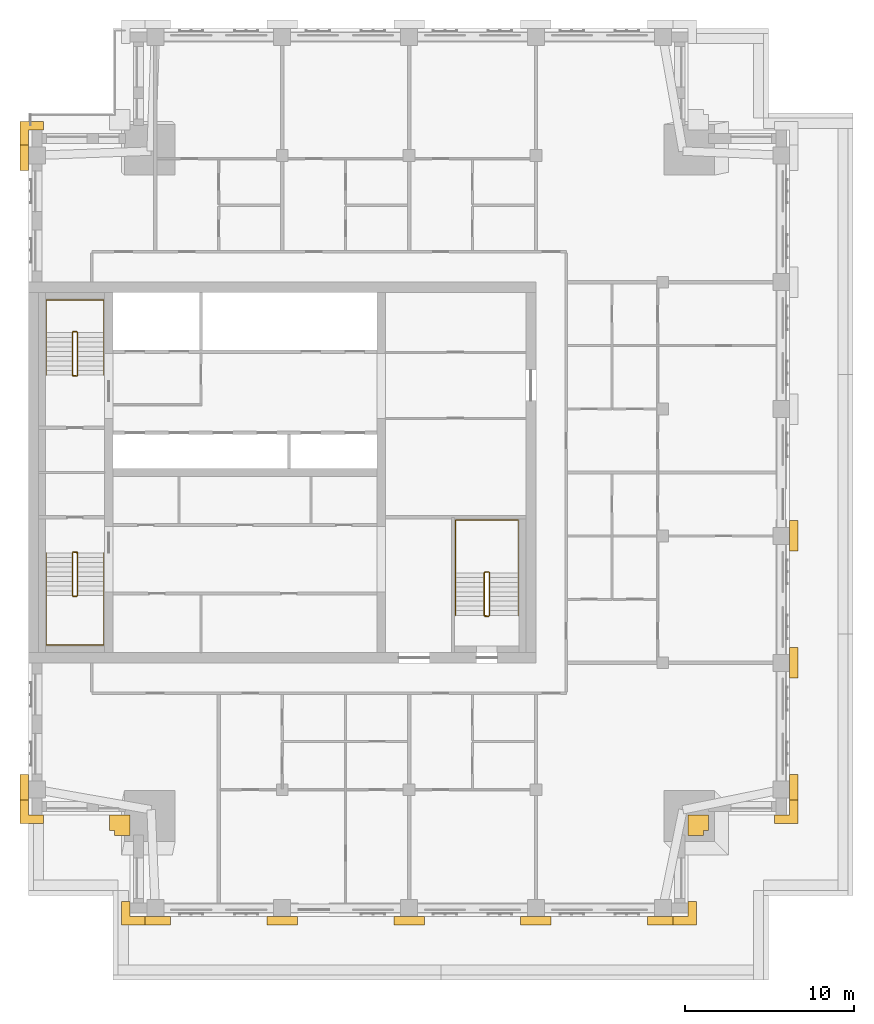
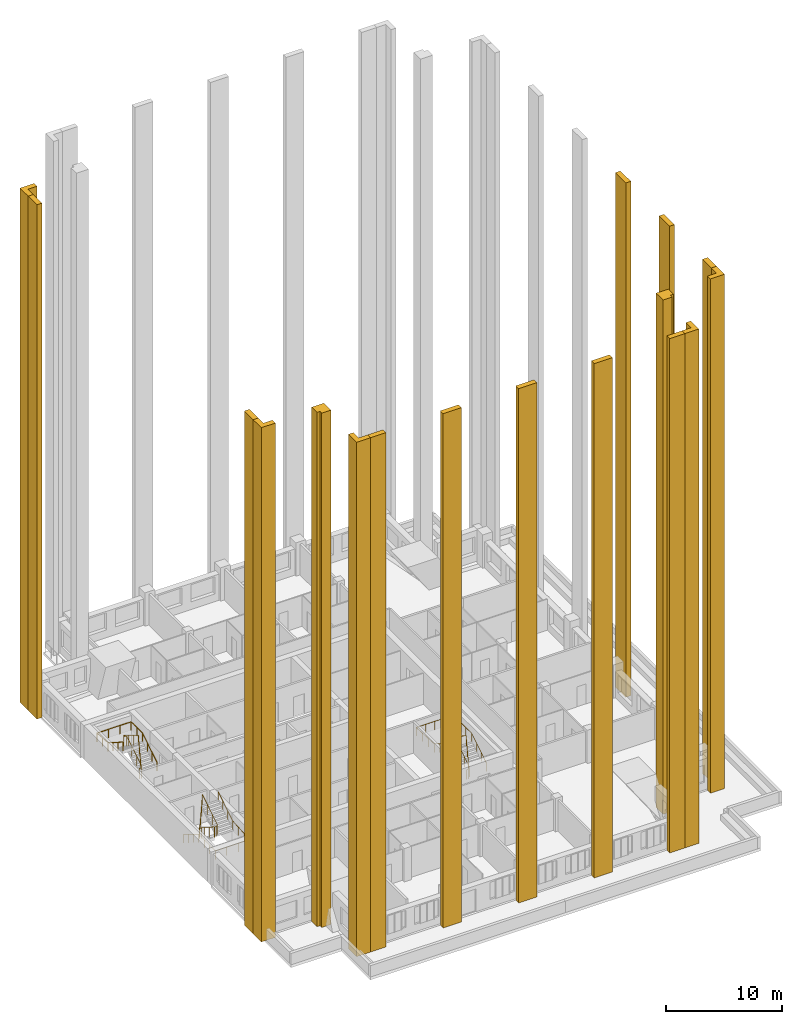
# One storey, part 10 of 12: 17 coverings, 6 railings.
"""IFC4 building model written with IfcOpenShell, lengths in metres."""

from ifc_helpers import new_model, si_unit, direction, frame, origin, origin_2d, place, context, subcontext, project, spatial, polyline, circle, outline, extrude, material, layer, layer_set, type_object, element, save


model = new_model("IFC4")

# Units and contexts
model_context = context("Model", 3, precision=1e-05, world=origin(), true_north=direction((0.0, 1.0)))
body_context = subcontext(model_context, "Body", "Model", "MODEL_VIEW")
ifc_project = project(units=[si_unit("LENGTHUNIT", "METRE"), si_unit("AREAUNIT", "SQUARE_METRE"), si_unit("VOLUMEUNIT", "CUBIC_METRE"), si_unit("PLANEANGLEUNIT", "RADIAN"), si_unit("MASSUNIT", "GRAM", prefix="KILO")], contexts=[model_context])

# Site, building, storey
site_placement = place(None, origin())
site = spatial("IfcSite", under=ifc_project, at=site_placement, CompositionType="ELEMENT")
building_placement = place(site_placement, origin())
building = spatial("IfcBuilding", under=site, at=building_placement, Name="Tamorin Gate", CompositionType="ELEMENT")
storey_placement = place(building_placement, frame((0.0, 0.0, 266.199951171875)))
storey = spatial("IfcBuildingStorey", under=building, at=storey_placement, Name="L66", CompositionType="ELEMENT", Elevation=266.199951171875)

# Coverings
ifc_material_1 = material(Name="Precast concrete C40/50", Category="concrete")
ifc_layer_1 = layer(ifc_material_1, 0.5)
ifc_layer_set_1 = layer_set([ifc_layer_1], Name="Corner pier cladding 500")
covering_type_1 = type_object("IfcCoveringType", Name="Corner pier cladding 500", PredefinedType="CLADDING", material=ifc_layer_set_1)
covering_1_placement = place(storey_placement, origin())
element("IfcCovering", 1, at=covering_1_placement, inside=storey, type_object=covering_type_1, Name="Corner pier", PredefinedType="CLADDING", context=body_context, shape_type="SweptSolid", body=[
    extrude(outline(polyline([(35.5, 44.5), (35.5, 45.89990234375), (36.0, 45.89990234375), (36.0, 45.0), (36.89990234375, 45.0), (36.89990234375, 44.5), (35.5, 44.5)])), origin(), (0.0, 0.0, 1.0), 54.0),
])
covering_2_placement = place(storey_placement, origin())
element("IfcCovering", 2, at=covering_2_placement, inside=storey, type_object=covering_type_1, Name="Corner pier", PredefinedType="CLADDING", context=body_context, shape_type="SweptSolid", body=[
    extrude(outline(polyline([(69.5, 44.5), (68.10009765625, 44.5), (68.10009765625, 45.0), (69.0, 45.0), (69.0, 45.89990234375), (69.5, 45.89990234375), (69.5, 44.5)])), origin(), (0.0, 0.0, 1.0), 54.0),
])
covering_3_placement = place(storey_placement, origin())
element("IfcCovering", 3, at=covering_3_placement, inside=storey, type_object=covering_type_1, Name="Corner pier", PredefinedType="CLADDING", context=body_context, shape_type="SweptSolid", body=[
    extrude(outline(polyline([(75.5, 50.5), (74.10009765625, 50.5), (74.10009765625, 51.0), (75.0, 51.0), (75.0, 51.89990234375), (75.5, 51.89990234375), (75.5, 50.5)])), origin(), (0.0, 0.0, 1.0), 54.0),
])
covering_4_placement = place(storey_placement, origin())
element("IfcCovering", 4, at=covering_4_placement, inside=storey, type_object=covering_type_1, Name="Corner pier", PredefinedType="CLADDING", context=body_context, shape_type="SweptSolid", body=[
    extrude(outline(polyline([(29.5, 92.0), (30.89990234375, 92.0), (30.89990234375, 91.5), (30.0, 91.5), (30.0, 90.60009765625), (29.5, 90.60009765625), (29.5, 92.0)])), origin(), (0.0, 0.0, 1.0), 54.0),
])
covering_5_placement = place(storey_placement, origin())
element("IfcCovering", 5, at=covering_5_placement, inside=storey, type_object=covering_type_1, Name="Corner pier", PredefinedType="CLADDING", context=body_context, shape_type="SweptSolid", body=[
    extrude(outline(polyline([(29.5, 50.5), (29.5, 51.89990234375), (30.0, 51.89990234375), (30.0, 51.0), (30.89990234375, 51.0), (30.89990234375, 50.5), (29.5, 50.5)])), origin(), (0.0, 0.0, 1.0), 54.0),
])
ifc_layer_2 = layer(ifc_material_1, 0.89990234375)
ifc_layer_set_2 = layer_set([ifc_layer_2], Name="Corner pier cladding 900")
covering_type_2 = type_object("IfcCoveringType", Name="Corner pier cladding 900", PredefinedType="CLADDING", material=ifc_layer_set_2)
covering_6_placement = place(storey_placement, origin())
element("IfcCovering", 6, at=covering_6_placement, inside=storey, type_object=covering_type_2, Name="Corner pier", PredefinedType="CLADDING", context=body_context, shape_type="SweptSolid", body=[
    extrude(outline(polyline([(69.89990234375, 50.10009765625), (69.89990234375, 49.800048828125), (69.0, 49.800048828125), (69.0, 51.0), (70.199951171875, 51.0), (70.199951171875, 50.10009765625), (69.89990234375, 50.10009765625)])), origin(), (0.0, 0.0, 1.0), 54.0),
])
covering_7_placement = place(storey_placement, origin())
element("IfcCovering", 7, at=covering_7_placement, inside=storey, type_object=covering_type_2, Name="Corner pier", PredefinedType="CLADDING", context=body_context, shape_type="SweptSolid", body=[
    extrude(outline(polyline([(34.800048828125, 50.10009765625), (34.800048828125, 51.0), (36.0, 51.0), (36.0, 49.800048828125), (35.10009765625, 49.800048828125), (35.10009765625, 50.10009765625), (34.800048828125, 50.10009765625)])), origin(), (0.0, 0.0, 1.0), 54.0),
])
ifc_layer_3 = layer(ifc_material_1, 0.5)
ifc_layer_set_3 = layer_set([ifc_layer_3], Name="Precast concrete C40/50")
covering_type_3 = type_object("IfcCoveringType", Name="Precast pier 1800x500", PredefinedType="CLADDING", material=ifc_layer_set_3)
covering_8_placement = place(storey_placement, origin())
element("IfcCovering", 8, at=covering_8_placement, inside=storey, type_object=covering_type_3, Name="Precast pier", PredefinedType="CLADDING", context=body_context, shape_type="SweptSolid", body=[
    extrude(outline(polyline([(30.0, 51.89990234375), (29.5, 51.89990234375), (29.5, 53.39990234375), (30.0, 53.39990234375), (30.0, 51.89990234375)])), origin(), (0.0, 0.0, 1.0), 54.0),
])
covering_9_placement = place(storey_placement, origin())
element("IfcCovering", 9, at=covering_9_placement, inside=storey, type_object=covering_type_3, Name="Precast pier", PredefinedType="CLADDING", context=body_context, shape_type="SweptSolid", body=[
    extrude(outline(polyline([(30.0, 89.10009765625), (29.5, 89.10009765625), (29.5, 90.60009765625), (30.0, 90.60009765625), (30.0, 89.10009765625)])), origin(), (0.0, 0.0, 1.0), 54.0),
])
covering_10_placement = place(storey_placement, origin())
element("IfcCovering", 10, at=covering_10_placement, inside=storey, type_object=covering_type_3, Name="Precast pier", PredefinedType="CLADDING", context=body_context, shape_type="SweptSolid", body=[
    extrude(outline(polyline([(38.39990234375, 45.0), (38.39990234375, 44.5), (36.89990234375, 44.5), (36.89990234375, 45.0), (38.39990234375, 45.0)])), origin(), (0.0, 0.0, 1.0), 54.0),
])
covering_11_placement = place(storey_placement, origin())
element("IfcCovering", 11, at=covering_11_placement, inside=storey, type_object=covering_type_3, Name="Precast pier", PredefinedType="CLADDING", context=body_context, shape_type="SweptSolid", body=[
    extrude(outline(polyline([(44.10009765625, 45.0), (45.89990234375, 45.0), (45.89990234375, 44.5), (44.10009765625, 44.5), (44.10009765625, 45.0)])), origin(), (0.0, 0.0, 1.0), 54.0),
])
covering_12_placement = place(storey_placement, origin())
element("IfcCovering", 12, at=covering_12_placement, inside=storey, type_object=covering_type_3, Name="Precast pier", PredefinedType="CLADDING", context=body_context, shape_type="SweptSolid", body=[
    extrude(outline(polyline([(51.60009765625, 45.0), (53.39990234375, 45.0), (53.39990234375, 44.5), (51.60009765625, 44.5), (51.60009765625, 45.0)])), origin(), (0.0, 0.0, 1.0), 54.0),
])
covering_13_placement = place(storey_placement, origin())
element("IfcCovering", 13, at=covering_13_placement, inside=storey, type_object=covering_type_3, Name="Precast pier", PredefinedType="CLADDING", context=body_context, shape_type="SweptSolid", body=[
    extrude(outline(polyline([(59.10009765625, 45.0), (60.89990234375, 45.0), (60.89990234375, 44.5), (59.10009765625, 44.5), (59.10009765625, 45.0)])), origin(), (0.0, 0.0, 1.0), 54.0),
])
covering_14_placement = place(storey_placement, origin())
element("IfcCovering", 14, at=covering_14_placement, inside=storey, type_object=covering_type_3, Name="Precast pier", PredefinedType="CLADDING", context=body_context, shape_type="SweptSolid", body=[
    extrude(outline(polyline([(68.10009765625, 45.0), (68.10009765625, 44.5), (66.60009765625, 44.5), (66.60009765625, 45.0), (68.10009765625, 45.0)])), origin(), (0.0, 0.0, 1.0), 54.0),
])
covering_15_placement = place(storey_placement, origin())
element("IfcCovering", 15, at=covering_15_placement, inside=storey, type_object=covering_type_3, Name="Precast pier", PredefinedType="CLADDING", context=body_context, shape_type="SweptSolid", body=[
    extrude(outline(polyline([(75.0, 53.39990234375), (75.5, 53.39990234375), (75.5, 51.89990234375), (75.0, 51.89990234375), (75.0, 53.39990234375)])), origin(), (0.0, 0.0, 1.0), 54.0),
])
covering_16_placement = place(storey_placement, origin())
element("IfcCovering", 16, at=covering_16_placement, inside=storey, type_object=covering_type_3, Name="Precast pier", PredefinedType="CLADDING", context=body_context, shape_type="SweptSolid", body=[
    extrude(outline(polyline([(75.0, 59.10009765625), (75.0, 60.89990234375), (75.5, 60.89990234375), (75.5, 59.10009765625), (75.0, 59.10009765625)])), origin(), (0.0, 0.0, 1.0), 54.0),
])
covering_17_placement = place(storey_placement, origin())
element("IfcCovering", 17, at=covering_17_placement, inside=storey, type_object=covering_type_3, Name="Precast pier", PredefinedType="CLADDING", context=body_context, shape_type="SweptSolid", body=[
    extrude(outline(polyline([(75.0, 66.60009765625), (75.0, 68.39990234375), (75.5, 68.39990234375), (75.5, 66.60009765625), (75.0, 66.60009765625)])), origin(), (0.0, 0.0, 1.0), 54.0),
])

# Railings
ifc_material_2 = material(Name="Painted steel balustrade", Category="steel")
railing_type_1 = type_object("IfcRailingType", Name="Stair guard 1100", PredefinedType="GUARDRAIL", material=ifc_material_2)
railing_1_placement = place(storey_placement, frame((32.60009765625, 66.5, 0.175048828125)))
element("IfcRailing", 18, at=railing_1_placement, inside=storey, type_object=railing_type_1, Name="L66 ST1 stair guard 1", PredefinedType="GUARDRAIL", context=body_context, shape_type="SweptSolid", body=[
    extrude(circle(Radius=0.02392578125, at=origin_2d()), frame((0.0, 0.0, 1.076171875), z_axis=(0.0, -0.848007534815, 0.529984170421), x_axis=(1.0, 0.0, 0.0)), (0.0, 0.0, 1.0), 2.9716796875),
    extrude(circle(Radius=0.02392578125, at=origin_2d()), frame((0.0, -2.52001953125, 2.65087890625), z_axis=(0.705375805398, -0.708833529934, 0.0), x_axis=(0.708833529934, 0.705375805398, 0.0)), (0.0, 0.0, 1.0), 0.070556640625),
    extrude(circle(Radius=0.02392578125, at=origin_2d()), frame((0.0498046875, -2.570068359375, 2.65087890625), z_axis=(1.0, 0.0, 0.0), x_axis=(0.0, 1.0, 0.0)), (0.0, 0.0, 1.0), 0.2001953125),
    extrude(circle(Radius=0.02392578125, at=origin_2d()), frame((0.25, -2.570068359375, 2.65087890625), z_axis=(0.263862480399, 0.265155923931, 0.927399011991), x_axis=(-0.708833529934, 0.705375805398, 0.0)), (0.0, 0.0, 1.0), 0.188720703125),
    extrude(circle(Radius=0.02392578125, at=origin_2d()), frame((0.2998046875, -2.52001953125, 2.826171875), z_axis=(0.0, 0.848007534815, 0.529984170421), x_axis=(-1.0, 0.0, 0.0)), (0.0, 0.0, 1.0), 2.9716796875),
    extrude(circle(Radius=0.02392578125, at=origin_2d()), frame((0.2998046875, 0.0, 4.40087890625), z_axis=(-0.071239803756, 0.014261874775, -0.997357252587), x_axis=(-0.196300278283, -0.98054382908, 0.0)), (0.0, 0.0, 1.0), 3.50927734375),
    extrude(circle(Radius=0.02392578125, at=origin_2d()), frame((0.0498046875, 0.050048828125, 0.90087890625), z_axis=(1.0, 0.0, 0.0), x_axis=(0.0, 1.0, 0.0)), (0.0, 0.0, 1.0), 0.2001953125),
    extrude(circle(Radius=0.02099609375, at=origin_2d()), origin(), (0.0, 0.0, 1.0), 1.052001953125),
    extrude(circle(Radius=0.02099609375, at=origin_2d()), frame((0.0, -0.840087890625, 0.52490234375)), (0.0, 0.0, 1.0), 1.052001953125),
    extrude(circle(Radius=0.02099609375, at=origin_2d()), frame((0.0, -1.679931640625, 1.050048828125)), (0.0, 0.0, 1.0), 1.052001953125),
    extrude(circle(Radius=0.02099609375, at=origin_2d()), frame((0.0, -2.52001953125, 1.574951171875)), (0.0, 0.0, 1.0), 1.052001953125),
    extrude(circle(Radius=0.02099609375, at=origin_2d()), frame((0.0498046875, -2.570068359375, 1.574951171875)), (0.0, 0.0, 1.0), 1.052001953125),
    extrude(circle(Radius=0.02099609375, at=origin_2d()), frame((0.25, -2.570068359375, 1.574951171875)), (0.0, 0.0, 1.0), 1.052001953125),
    extrude(circle(Radius=0.02099609375, at=origin_2d()), frame((0.2998046875, -2.52001953125, 1.75)), (0.0, 0.0, 1.0), 1.052001953125),
    extrude(circle(Radius=0.02099609375, at=origin_2d()), frame((0.2998046875, -1.679931640625, 2.27490234375)), (0.0, 0.0, 1.0), 1.052001953125),
    extrude(circle(Radius=0.02099609375, at=origin_2d()), frame((0.2998046875, -0.840087890625, 2.800048828125)), (0.0, 0.0, 1.0), 1.052001953125),
    extrude(circle(Radius=0.02099609375, at=origin_2d()), frame((0.2998046875, 0.0, 3.324951171875)), (0.0, 0.0, 1.0), 1.052001953125),
    extrude(circle(Radius=0.02099609375, at=origin_2d()), frame((0.216552734375, 0.0166015625, 2.158203125)), (0.0, 0.0, 1.0), 1.052001953125),
    extrude(circle(Radius=0.02099609375, at=origin_2d()), frame((0.133056640625, 0.033447265625, 0.99169921875)), (0.0, 0.0, 1.0), 1.052001953125),
    extrude(circle(Radius=0.02099609375, at=origin_2d()), frame((0.0498046875, 0.050048828125, -0.175048828125)), (0.0, 0.0, 1.0), 1.052001953125),
    extrude(circle(Radius=0.02099609375, at=origin_2d()), frame((0.25, 0.050048828125, -0.175048828125)), (0.0, 0.0, 1.0), 1.052001953125),
])
railing_2_placement = place(storey_placement, frame((32.89990234375, 77.0, 0.175048828125)))
element("IfcRailing", 19, at=railing_2_placement, inside=storey, type_object=railing_type_1, Name="L66 ST2 stair guard 1", PredefinedType="GUARDRAIL", context=body_context, shape_type="SweptSolid", body=[
    extrude(circle(Radius=0.02392578125, at=origin_2d()), frame((0.0, 0.0, 1.076171875), z_axis=(0.0, 0.848007534815, 0.529984170421), x_axis=(-1.0, 0.0, 0.0)), (0.0, 0.0, 1.0), 2.9716796875),
    extrude(circle(Radius=0.02392578125, at=origin_2d()), frame((0.0, 2.52001953125, 2.65087890625), z_axis=(-0.705375805398, 0.708833529934, 0.0), x_axis=(-0.708833529934, -0.705375805398, 0.0)), (0.0, 0.0, 1.0), 0.070556640625),
    extrude(circle(Radius=0.02392578125, at=origin_2d()), frame((-0.0498046875, 2.570068359375, 2.65087890625), z_axis=(-1.0, 0.0, 0.0), x_axis=(0.0, -1.0, 0.0)), (0.0, 0.0, 1.0), 0.2001953125),
    extrude(circle(Radius=0.02392578125, at=origin_2d()), frame((-0.25, 2.570068359375, 2.65087890625), z_axis=(-0.263862480399, -0.265155923931, 0.927399011991), x_axis=(0.708833529934, -0.705375805398, 0.0)), (0.0, 0.0, 1.0), 0.188720703125),
    extrude(circle(Radius=0.02392578125, at=origin_2d()), frame((-0.2998046875, 2.52001953125, 2.826171875), z_axis=(0.0, -0.848007534815, 0.529984170421), x_axis=(1.0, 0.0, 0.0)), (0.0, 0.0, 1.0), 2.9716796875),
    extrude(circle(Radius=0.02392578125, at=origin_2d()), frame((-0.2998046875, 0.0, 4.40087890625), z_axis=(0.071239803756, -0.014261874775, -0.997357252587), x_axis=(0.196300278283, 0.98054382908, 0.0)), (0.0, 0.0, 1.0), 3.50927734375),
    extrude(circle(Radius=0.02392578125, at=origin_2d()), frame((-0.0498046875, -0.050048828125, 0.90087890625), z_axis=(-1.0, 0.0, 0.0), x_axis=(0.0, -1.0, 0.0)), (0.0, 0.0, 1.0), 0.2001953125),
    extrude(circle(Radius=0.02099609375, at=origin_2d()), origin(), (0.0, 0.0, 1.0), 1.052001953125),
    extrude(circle(Radius=0.02099609375, at=origin_2d()), frame((0.0, 0.840087890625, 0.52490234375)), (0.0, 0.0, 1.0), 1.052001953125),
    extrude(circle(Radius=0.02099609375, at=origin_2d()), frame((0.0, 1.679931640625, 1.050048828125)), (0.0, 0.0, 1.0), 1.052001953125),
    extrude(circle(Radius=0.02099609375, at=origin_2d()), frame((0.0, 2.52001953125, 1.574951171875)), (0.0, 0.0, 1.0), 1.052001953125),
    extrude(circle(Radius=0.02099609375, at=origin_2d()), frame((-0.0498046875, 2.570068359375, 1.574951171875)), (0.0, 0.0, 1.0), 1.052001953125),
    extrude(circle(Radius=0.02099609375, at=origin_2d()), frame((-0.25, 2.570068359375, 1.574951171875)), (0.0, 0.0, 1.0), 1.052001953125),
    extrude(circle(Radius=0.02099609375, at=origin_2d()), frame((-0.2998046875, 2.52001953125, 1.75)), (0.0, 0.0, 1.0), 1.052001953125),
    extrude(circle(Radius=0.02099609375, at=origin_2d()), frame((-0.2998046875, 1.679931640625, 2.27490234375)), (0.0, 0.0, 1.0), 1.052001953125),
    extrude(circle(Radius=0.02099609375, at=origin_2d()), frame((-0.2998046875, 0.840087890625, 2.800048828125)), (0.0, 0.0, 1.0), 1.052001953125),
    extrude(circle(Radius=0.02099609375, at=origin_2d()), frame((-0.2998046875, 0.0, 3.324951171875)), (0.0, 0.0, 1.0), 1.052001953125),
    extrude(circle(Radius=0.02099609375, at=origin_2d()), frame((-0.216552734375, -0.0166015625, 2.158203125)), (0.0, 0.0, 1.0), 1.052001953125),
    extrude(circle(Radius=0.02099609375, at=origin_2d()), frame((-0.133056640625, -0.033447265625, 0.99169921875)), (0.0, 0.0, 1.0), 1.052001953125),
    extrude(circle(Radius=0.02099609375, at=origin_2d()), frame((-0.0498046875, -0.050048828125, -0.175048828125)), (0.0, 0.0, 1.0), 1.052001953125),
    extrude(circle(Radius=0.02099609375, at=origin_2d()), frame((-0.25, -0.050048828125, -0.175048828125)), (0.0, 0.0, 1.0), 1.052001953125),
])
railing_3_placement = place(storey_placement, frame((57.25, 62.800048828125, 0.175048828125)))
element("IfcRailing", 20, at=railing_3_placement, inside=storey, type_object=railing_type_1, Name="L66 ST3 stair guard 1", PredefinedType="GUARDRAIL", context=body_context, shape_type="SweptSolid", body=[
    extrude(circle(Radius=0.02392578125, at=origin_2d()), frame((0.0, 0.0, 1.076171875), z_axis=(0.0, 0.848007534815, 0.529984170421), x_axis=(-1.0, 0.0, 0.0)), (0.0, 0.0, 1.0), 2.9716796875),
    extrude(circle(Radius=0.02392578125, at=origin_2d()), frame((0.0, 2.52001953125, 2.65087890625), z_axis=(-0.707106781187, 0.707106781187, 0.0), x_axis=(-0.707106781187, -0.707106781187, 0.0)), (0.0, 0.0, 1.0), 0.07080078125),
    extrude(circle(Radius=0.02392578125, at=origin_2d()), frame((-0.050048828125, 2.570068359375, 2.65087890625), z_axis=(-1.0, 0.0, 0.0), x_axis=(0.0, -1.0, 0.0)), (0.0, 0.0, 1.0), 0.199951171875),
    extrude(circle(Radius=0.02392578125, at=origin_2d()), frame((-0.25, 2.570068359375, 2.65087890625), z_axis=(-0.265065253269, -0.265065253269, 0.927081885822), x_axis=(0.707106781187, -0.707106781187, 0.0)), (0.0, 0.0, 1.0), 0.188720703125),
    extrude(circle(Radius=0.02392578125, at=origin_2d()), frame((-0.300048828125, 2.52001953125, 2.826171875), z_axis=(0.0, -0.848007534815, 0.529984170421), x_axis=(1.0, 0.0, 0.0)), (0.0, 0.0, 1.0), 2.9716796875),
    extrude(circle(Radius=0.02392578125, at=origin_2d()), frame((-0.300048828125, 0.0, 4.40087890625), z_axis=(0.071239803756, -0.014261874775, -0.997357252587), x_axis=(0.196300278283, 0.98054382908, 0.0)), (0.0, 0.0, 1.0), 3.50927734375),
    extrude(circle(Radius=0.02392578125, at=origin_2d()), frame((-0.050048828125, -0.050048828125, 0.90087890625), z_axis=(-1.0, 0.0, 0.0), x_axis=(0.0, -1.0, 0.0)), (0.0, 0.0, 1.0), 0.199951171875),
    extrude(circle(Radius=0.02099609375, at=origin_2d()), origin(), (0.0, 0.0, 1.0), 1.052001953125),
    extrude(circle(Radius=0.02099609375, at=origin_2d()), frame((0.0, 0.840087890625, 0.52490234375)), (0.0, 0.0, 1.0), 1.052001953125),
    extrude(circle(Radius=0.02099609375, at=origin_2d()), frame((0.0, 1.679931640625, 1.050048828125)), (0.0, 0.0, 1.0), 1.052001953125),
    extrude(circle(Radius=0.02099609375, at=origin_2d()), frame((0.0, 2.52001953125, 1.574951171875)), (0.0, 0.0, 1.0), 1.052001953125),
    extrude(circle(Radius=0.02099609375, at=origin_2d()), frame((-0.050048828125, 2.570068359375, 1.574951171875)), (0.0, 0.0, 1.0), 1.052001953125),
    extrude(circle(Radius=0.02099609375, at=origin_2d()), frame((-0.25, 2.570068359375, 1.574951171875)), (0.0, 0.0, 1.0), 1.052001953125),
    extrude(circle(Radius=0.02099609375, at=origin_2d()), frame((-0.300048828125, 2.52001953125, 1.75)), (0.0, 0.0, 1.0), 1.052001953125),
    extrude(circle(Radius=0.02099609375, at=origin_2d()), frame((-0.300048828125, 1.679931640625, 2.27490234375)), (0.0, 0.0, 1.0), 1.052001953125),
    extrude(circle(Radius=0.02099609375, at=origin_2d()), frame((-0.300048828125, 0.840087890625, 2.800048828125)), (0.0, 0.0, 1.0), 1.052001953125),
    extrude(circle(Radius=0.02099609375, at=origin_2d()), frame((-0.300048828125, 0.0, 3.324951171875)), (0.0, 0.0, 1.0), 1.052001953125),
    extrude(circle(Radius=0.02099609375, at=origin_2d()), frame((-0.216796875, -0.0166015625, 2.158203125)), (0.0, 0.0, 1.0), 1.052001953125),
    extrude(circle(Radius=0.02099609375, at=origin_2d()), frame((-0.13330078125, -0.033447265625, 0.99169921875)), (0.0, 0.0, 1.0), 1.052001953125),
    extrude(circle(Radius=0.02099609375, at=origin_2d()), frame((-0.050048828125, -0.050048828125, -0.175048828125)), (0.0, 0.0, 1.0), 1.052001953125),
    extrude(circle(Radius=0.02099609375, at=origin_2d()), frame((-0.25, -0.050048828125, -0.175048828125)), (0.0, 0.0, 1.0), 1.052001953125),
])
ifc_material_3 = material(Name="Painted steel handrail", Category="steel")
railing_type_2 = type_object("IfcRailingType", Name="Stair handrail 900", PredefinedType="HANDRAIL", material=ifc_material_3)
railing_4_placement = place(storey_placement, frame((31.050048828125, 66.5, 0.175048828125)))
element("IfcRailing", 21, at=railing_4_placement, inside=storey, type_object=railing_type_2, Name="L66 ST1 stair handrail 1", PredefinedType="HANDRAIL", context=body_context, shape_type="SweptSolid", body=[
    extrude(circle(Radius=0.02392578125, at=origin_2d()), frame((0.0, 0.0, 0.8759765625), z_axis=(0.0, -0.848007534815, 0.529984170421), x_axis=(1.0, 0.0, 0.0)), (0.0, 0.0, 1.0), 2.9716796875),
    extrude(circle(Radius=0.02392578125, at=origin_2d()), frame((0.0, -2.52001953125, 2.45068359375), z_axis=(0.0, -1.0, 0.0), x_axis=(1.0, 0.0, 0.0)), (0.0, 0.0, 1.0), 2.929931640625),
    extrude(circle(Radius=0.02392578125, at=origin_2d()), frame((0.0, -5.449951171875, 2.45068359375), z_axis=(1.0, 0.0, 0.0), x_axis=(0.0, 1.0, 0.0)), (0.0, 0.0, 1.0), 3.39990234375),
    extrude(circle(Radius=0.02392578125, at=origin_2d()), frame((3.39990234375, -5.449951171875, 2.45068359375), z_axis=(0.0, 0.998220029962, 0.0596386769), x_axis=(-1.0, 0.0, 0.0)), (0.0, 0.0, 1.0), 2.93505859375),
    extrude(circle(Radius=0.02392578125, at=origin_2d()), frame((3.39990234375, -2.52001953125, 2.6259765625), z_axis=(0.0, 0.848007534815, 0.529984170421), x_axis=(-1.0, 0.0, 0.0)), (0.0, 0.0, 1.0), 2.9716796875),
    extrude(circle(Radius=0.02099609375, at=origin_2d()), origin(), (0.0, 0.0, 1.0), 0.851806640625),
    extrude(circle(Radius=0.02099609375, at=origin_2d()), frame((0.0, -0.840087890625, 0.52490234375)), (0.0, 0.0, 1.0), 0.851806640625),
    extrude(circle(Radius=0.02099609375, at=origin_2d()), frame((0.0, -1.679931640625, 1.050048828125)), (0.0, 0.0, 1.0), 0.851806640625),
    extrude(circle(Radius=0.02099609375, at=origin_2d()), frame((0.0, -2.52001953125, 1.574951171875)), (0.0, 0.0, 1.0), 0.851806640625),
    extrude(circle(Radius=0.02099609375, at=origin_2d()), frame((0.0, -3.49658203125, 1.574951171875)), (0.0, 0.0, 1.0), 0.851806640625),
    extrude(circle(Radius=0.02099609375, at=origin_2d()), frame((0.0, -4.473388671875, 1.574951171875)), (0.0, 0.0, 1.0), 0.851806640625),
    extrude(circle(Radius=0.02099609375, at=origin_2d()), frame((0.0, -5.449951171875, 1.574951171875)), (0.0, 0.0, 1.0), 0.851806640625),
    extrude(circle(Radius=0.02099609375, at=origin_2d()), frame((1.13330078125, -5.449951171875, 1.574951171875)), (0.0, 0.0, 1.0), 0.851806640625),
    extrude(circle(Radius=0.02099609375, at=origin_2d()), frame((2.2666015625, -5.449951171875, 1.574951171875)), (0.0, 0.0, 1.0), 0.851806640625),
    extrude(circle(Radius=0.02099609375, at=origin_2d()), frame((3.39990234375, -5.449951171875, 1.574951171875)), (0.0, 0.0, 1.0), 0.851806640625),
    extrude(circle(Radius=0.02099609375, at=origin_2d()), frame((3.39990234375, -4.473388671875, 1.63330078125)), (0.0, 0.0, 1.0), 0.851806640625),
    extrude(circle(Radius=0.02099609375, at=origin_2d()), frame((3.39990234375, -3.49658203125, 1.691650390625)), (0.0, 0.0, 1.0), 0.851806640625),
    extrude(circle(Radius=0.02099609375, at=origin_2d()), frame((3.39990234375, -2.52001953125, 1.75)), (0.0, 0.0, 1.0), 0.851806640625),
    extrude(circle(Radius=0.02099609375, at=origin_2d()), frame((3.39990234375, -1.679931640625, 2.27490234375)), (0.0, 0.0, 1.0), 0.851806640625),
    extrude(circle(Radius=0.02099609375, at=origin_2d()), frame((3.39990234375, -0.840087890625, 2.800048828125)), (0.0, 0.0, 1.0), 0.851806640625),
    extrude(circle(Radius=0.02099609375, at=origin_2d()), frame((3.39990234375, 0.0, 3.324951171875)), (0.0, 0.0, 1.0), 0.851806640625),
])
railing_5_placement = place(storey_placement, frame((34.449951171875, 77.0, 0.175048828125)))
element("IfcRailing", 22, at=railing_5_placement, inside=storey, type_object=railing_type_2, Name="L66 ST2 stair handrail 1", PredefinedType="HANDRAIL", context=body_context, shape_type="SweptSolid", body=[
    extrude(circle(Radius=0.02392578125, at=origin_2d()), frame((0.0, 0.0, 0.8759765625), z_axis=(0.0, 0.848007534815, 0.529984170421), x_axis=(-1.0, 0.0, 0.0)), (0.0, 0.0, 1.0), 2.9716796875),
    extrude(circle(Radius=0.02392578125, at=origin_2d()), frame((0.0, 2.52001953125, 2.45068359375), z_axis=(0.0, 1.0, 0.0), x_axis=(-1.0, 0.0, 0.0)), (0.0, 0.0, 1.0), 1.929931640625),
    extrude(circle(Radius=0.02392578125, at=origin_2d()), frame((0.0, 4.449951171875, 2.45068359375), z_axis=(-1.0, 0.0, 0.0), x_axis=(0.0, -1.0, 0.0)), (0.0, 0.0, 1.0), 3.39990234375),
    extrude(circle(Radius=0.02392578125, at=origin_2d()), frame((-3.39990234375, 4.449951171875, 2.45068359375), z_axis=(0.0, -0.995911773435, 0.090331276604), x_axis=(1.0, 0.0, 0.0)), (0.0, 0.0, 1.0), 1.937744140625),
    extrude(circle(Radius=0.02392578125, at=origin_2d()), frame((-3.39990234375, 2.52001953125, 2.6259765625), z_axis=(0.0, -0.848007534815, 0.529984170421), x_axis=(1.0, 0.0, 0.0)), (0.0, 0.0, 1.0), 2.9716796875),
    extrude(circle(Radius=0.02099609375, at=origin_2d()), origin(), (0.0, 0.0, 1.0), 0.851806640625),
    extrude(circle(Radius=0.02099609375, at=origin_2d()), frame((0.0, 0.840087890625, 0.52490234375)), (0.0, 0.0, 1.0), 0.851806640625),
    extrude(circle(Radius=0.02099609375, at=origin_2d()), frame((0.0, 1.679931640625, 1.050048828125)), (0.0, 0.0, 1.0), 0.851806640625),
    extrude(circle(Radius=0.02099609375, at=origin_2d()), frame((0.0, 2.52001953125, 1.574951171875)), (0.0, 0.0, 1.0), 0.851806640625),
    extrude(circle(Radius=0.02099609375, at=origin_2d()), frame((0.0, 3.48486328125, 1.574951171875)), (0.0, 0.0, 1.0), 0.851806640625),
    extrude(circle(Radius=0.02099609375, at=origin_2d()), frame((0.0, 4.449951171875, 1.574951171875)), (0.0, 0.0, 1.0), 0.851806640625),
    extrude(circle(Radius=0.02099609375, at=origin_2d()), frame((-1.13330078125, 4.449951171875, 1.574951171875)), (0.0, 0.0, 1.0), 0.851806640625),
    extrude(circle(Radius=0.02099609375, at=origin_2d()), frame((-2.2666015625, 4.449951171875, 1.574951171875)), (0.0, 0.0, 1.0), 0.851806640625),
    extrude(circle(Radius=0.02099609375, at=origin_2d()), frame((-3.39990234375, 4.449951171875, 1.574951171875)), (0.0, 0.0, 1.0), 0.851806640625),
    extrude(circle(Radius=0.02099609375, at=origin_2d()), frame((-3.39990234375, 3.48486328125, 1.66259765625)), (0.0, 0.0, 1.0), 0.851806640625),
    extrude(circle(Radius=0.02099609375, at=origin_2d()), frame((-3.39990234375, 2.52001953125, 1.75)), (0.0, 0.0, 1.0), 0.851806640625),
    extrude(circle(Radius=0.02099609375, at=origin_2d()), frame((-3.39990234375, 1.679931640625, 2.27490234375)), (0.0, 0.0, 1.0), 0.851806640625),
    extrude(circle(Radius=0.02099609375, at=origin_2d()), frame((-3.39990234375, 0.840087890625, 2.800048828125)), (0.0, 0.0, 1.0), 0.851806640625),
    extrude(circle(Radius=0.02099609375, at=origin_2d()), frame((-3.39990234375, 0.0, 3.324951171875)), (0.0, 0.0, 1.0), 0.851806640625),
])
railing_6_placement = place(storey_placement, frame((58.949951171875, 62.800048828125, 0.175048828125)))
element("IfcRailing", 23, at=railing_6_placement, inside=storey, type_object=railing_type_2, Name="L66 ST3 stair handrail 1", PredefinedType="HANDRAIL", context=body_context, shape_type="SweptSolid", body=[
    extrude(circle(Radius=0.02392578125, at=origin_2d()), frame((0.0, 0.0, 0.8759765625), z_axis=(0.0, 0.848007534815, 0.529984170421), x_axis=(-1.0, 0.0, 0.0)), (0.0, 0.0, 1.0), 2.9716796875),
    extrude(circle(Radius=0.02392578125, at=origin_2d()), frame((0.0, 2.52001953125, 2.45068359375), z_axis=(0.0, 1.0, 0.0), x_axis=(-1.0, 0.0, 0.0)), (0.0, 0.0, 1.0), 3.1298828125),
    extrude(circle(Radius=0.02392578125, at=origin_2d()), frame((0.0, 5.64990234375, 2.45068359375), z_axis=(-1.0, 0.0, 0.0), x_axis=(0.0, -1.0, 0.0)), (0.0, 0.0, 1.0), 3.699951171875),
    extrude(circle(Radius=0.02392578125, at=origin_2d()), frame((-3.699951171875, 5.64990234375, 2.45068359375), z_axis=(0.0, -0.998439675676, 0.055840970941), x_axis=(1.0, 0.0, 0.0)), (0.0, 0.0, 1.0), 3.134765625),
    extrude(circle(Radius=0.02392578125, at=origin_2d()), frame((-3.699951171875, 2.52001953125, 2.6259765625), z_axis=(0.0, -0.848007534815, 0.529984170421), x_axis=(1.0, 0.0, 0.0)), (0.0, 0.0, 1.0), 2.9716796875),
    extrude(circle(Radius=0.02099609375, at=origin_2d()), origin(), (0.0, 0.0, 1.0), 0.851806640625),
    extrude(circle(Radius=0.02099609375, at=origin_2d()), frame((0.0, 0.840087890625, 0.52490234375)), (0.0, 0.0, 1.0), 0.851806640625),
    extrude(circle(Radius=0.02099609375, at=origin_2d()), frame((0.0, 1.679931640625, 1.050048828125)), (0.0, 0.0, 1.0), 0.851806640625),
    extrude(circle(Radius=0.02099609375, at=origin_2d()), frame((0.0, 2.52001953125, 1.574951171875)), (0.0, 0.0, 1.0), 0.851806640625),
    extrude(circle(Radius=0.02099609375, at=origin_2d()), frame((0.0, 3.563232421875, 1.574951171875)), (0.0, 0.0, 1.0), 0.851806640625),
    extrude(circle(Radius=0.02099609375, at=origin_2d()), frame((0.0, 4.606689453125, 1.574951171875)), (0.0, 0.0, 1.0), 0.851806640625),
    extrude(circle(Radius=0.02099609375, at=origin_2d()), frame((0.0, 5.64990234375, 1.574951171875)), (0.0, 0.0, 1.0), 0.851806640625),
    extrude(circle(Radius=0.02099609375, at=origin_2d()), frame((-0.925048828125, 5.64990234375, 1.574951171875)), (0.0, 0.0, 1.0), 0.851806640625),
    extrude(circle(Radius=0.02099609375, at=origin_2d()), frame((-1.85009765625, 5.64990234375, 1.574951171875)), (0.0, 0.0, 1.0), 0.851806640625),
    extrude(circle(Radius=0.02099609375, at=origin_2d()), frame((-2.77490234375, 5.64990234375, 1.574951171875)), (0.0, 0.0, 1.0), 0.851806640625),
    extrude(circle(Radius=0.02099609375, at=origin_2d()), frame((-3.699951171875, 5.64990234375, 1.574951171875)), (0.0, 0.0, 1.0), 0.851806640625),
    extrude(circle(Radius=0.02099609375, at=origin_2d()), frame((-3.699951171875, 4.606689453125, 1.63330078125)), (0.0, 0.0, 1.0), 0.851806640625),
    extrude(circle(Radius=0.02099609375, at=origin_2d()), frame((-3.699951171875, 3.563232421875, 1.691650390625)), (0.0, 0.0, 1.0), 0.851806640625),
    extrude(circle(Radius=0.02099609375, at=origin_2d()), frame((-3.699951171875, 2.52001953125, 1.75)), (0.0, 0.0, 1.0), 0.851806640625),
    extrude(circle(Radius=0.02099609375, at=origin_2d()), frame((-3.699951171875, 1.679931640625, 2.27490234375)), (0.0, 0.0, 1.0), 0.851806640625),
    extrude(circle(Radius=0.02099609375, at=origin_2d()), frame((-3.699951171875, 0.840087890625, 2.800048828125)), (0.0, 0.0, 1.0), 0.851806640625),
    extrude(circle(Radius=0.02099609375, at=origin_2d()), frame((-3.699951171875, 0.0, 3.324951171875)), (0.0, 0.0, 1.0), 0.851806640625),
])

save(model, "model.ifc")
